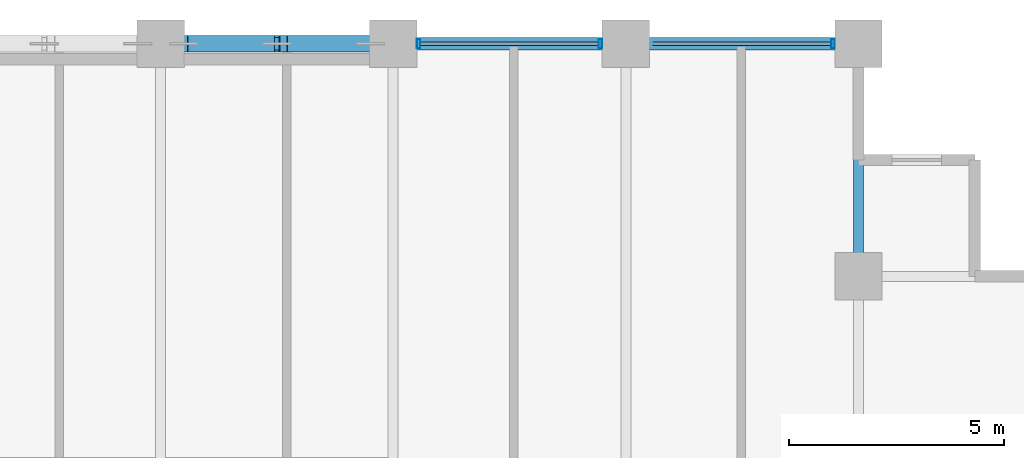
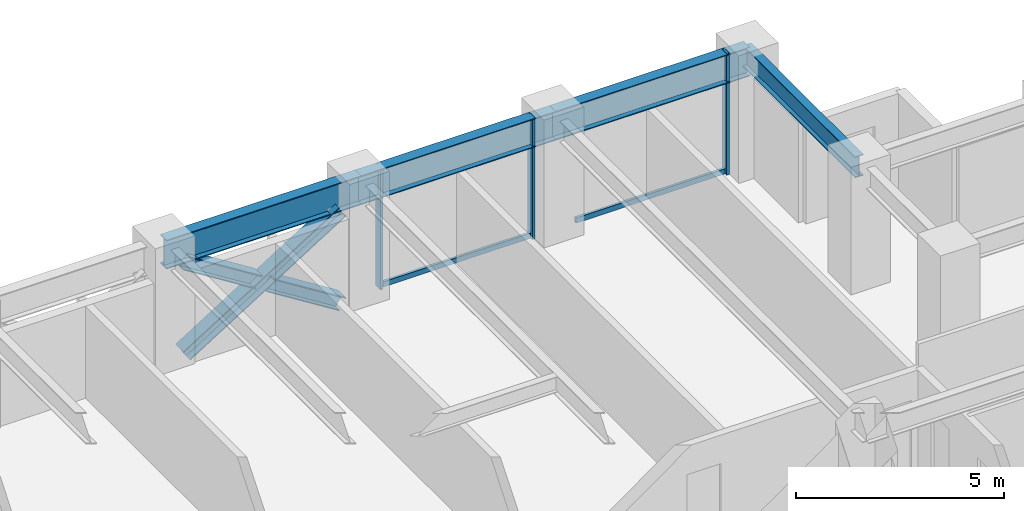
# One storey, part 16 of 25: 8 members, 4 beams, 1 element without a shape of its own.
"""IFC4 building model written with IfcOpenShell, lengths in metres."""

import ifcopenshell
import ifcopenshell.guid

model = None  # the IFC model being written
_history = None  # IfcOwnerHistory: only IFC2X3 demands one
_inside = {}  # id of a spatial element -> (the spatial element, [elements in it])
_under = {}  # id of a project, library or spatial element -> (it, [spatial elements below it])
_declared = {}  # id of a project -> (the project, [libraries it declares])
_typed = {}  # id of a type object -> (the type object, [elements of that type])
_made_of = {}  # id of a material, layer set ... -> (it, [elements and type objects made of it])


def new_model(schema):
    """Start an empty IFC model of exactly this schema.

    Asked for "IFC4X3", IfcOpenShell would pick the latest addendum, in which some entities
    have other attributes; the version numbers below select the first issue.
    IFC2X3 requires an IfcOwnerHistory on every rooted entity: one is made here for all.
    """
    global model, _history
    if schema == "IFC4X3":
        model = ifcopenshell.file(schema_version=(4, 3, 0, 0))
    else:
        model = ifcopenshell.file(schema=schema)
    _inside.clear()
    _under.clear()
    _declared.clear()
    _typed.clear()
    _made_of.clear()
    _history = None
    if model.schema == "IFC2X3":
        org = make("IfcOrganization", Name="unknown")
        user = make(
            "IfcPersonAndOrganization",
            ThePerson=make("IfcPerson", FamilyName="unknown"),
            TheOrganization=org,
        )
        app = make(
            "IfcApplication",
            ApplicationDeveloper=org,
            Version="unknown",
            ApplicationFullName="unknown",
            ApplicationIdentifier="unknown",
        )
        _history = make(
            "IfcOwnerHistory",
            OwningUser=user,
            OwningApplication=app,
            ChangeAction="ADDED",
            CreationDate=0,
        )
    return model


def make(cls, **values):
    """One entity of the class cls with the attributes given. An attribute that is None is left unset."""
    return model.create_entity(
        cls, **{name: value for name, value in values.items() if value is not None}
    )


def rooted(cls, **values):
    """An entity with a GlobalId (a new one), such as an element, a storey or a relation."""
    return make(cls, GlobalId=ifcopenshell.guid.new(), OwnerHistory=_history, **values)


def si_unit(unit_type, name, prefix=None):
    """IfcSIUnit, for example si_unit("LENGTHUNIT", "METRE", prefix="MILLI")."""
    return make("IfcSIUnit", UnitType=unit_type, Prefix=prefix, Name=name)


def assignment(units):
    """IfcUnitAssignment: the units of a project."""
    return None if units is None else make("IfcUnitAssignment", Units=units)


def point(xyz):
    """IfcCartesianPoint."""
    return None if xyz is None else make("IfcCartesianPoint", Coordinates=xyz)


def direction(xyz):
    """IfcDirection."""
    return None if xyz is None else make("IfcDirection", DirectionRatios=xyz)


def frame(location, z_axis=None, x_axis=None):
    """IfcAxis2Placement3D, a coordinate frame: its origin and axes. An axis left out is left unset."""
    return make(
        "IfcAxis2Placement3D",
        Location=point(location),
        Axis=direction(z_axis),
        RefDirection=direction(x_axis),
    )


def frame_2d(location, x_axis=None):
    """IfcAxis2Placement2D, a coordinate frame in the plane: its origin and x axis."""
    return make(
        "IfcAxis2Placement2D", Location=point(location), RefDirection=direction(x_axis)
    )


def origin():
    """The frame at (0, 0, 0) with its axes left unset."""
    return frame((0.0, 0.0, 0.0))


def origin_2d():
    """The frame at (0, 0) in the plane with its x axis left unset."""
    return frame_2d((0.0, 0.0))


def place(relative_to, where):
    """IfcLocalPlacement: puts the frame where relative to a parent placement (None: the world)."""
    return make(
        "IfcLocalPlacement", PlacementRelTo=relative_to, RelativePlacement=where
    )


def context(
    kind, dimensions, precision=None, world=None, true_north=None, identifier=None
):
    """IfcGeometricRepresentationContext, for example the 3D "Model" context."""
    return make(
        "IfcGeometricRepresentationContext",
        ContextIdentifier=identifier,
        ContextType=kind,
        CoordinateSpaceDimension=dimensions,
        Precision=precision,
        WorldCoordinateSystem=world,
        TrueNorth=true_north,
    )


def subcontext(parent, identifier, kind, view, scale=None):
    """IfcGeometricRepresentationSubContext, for example "Body" below "Model"."""
    return make(
        "IfcGeometricRepresentationSubContext",
        ContextIdentifier=identifier,
        ContextType=kind,
        ParentContext=parent,
        TargetScale=scale,
        TargetView=view,
    )


def project(units=None, contexts=None):
    """IfcProject with its units and contexts."""
    return rooted(
        "IfcProject",
        Name="project",
        RepresentationContexts=contexts,
        UnitsInContext=assignment(units),
    )


def spatial(cls, under=None, at=None, **own):
    """A site, building, storey or space (cls), placed at a placement, below another one or the project."""
    s = rooted(cls, ObjectPlacement=at, **own)
    if under is not None:
        _under.setdefault(under.id(), (under, []))[1].append(s)
    return s


def profile(cls, at=None, kind="AREA", **sizes):
    """A parametric profile (cls). Its sizes go by their IFC names, for example OverallWidth=200.0."""
    return make(cls, ProfileType=kind, Position=at, **sizes)


def hollow_rectangle(**sizes):
    """IfcRectangleHollowProfileDef."""
    return profile("IfcRectangleHollowProfileDef", **sizes)


def i_section(**sizes):
    """IfcIShapeProfileDef."""
    return profile("IfcIShapeProfileDef", **sizes)


def extrude(swept, where, along, depth):
    """IfcExtrudedAreaSolid: the profile swept, set in the frame where, extruded along a direction by depth."""
    return make(
        "IfcExtrudedAreaSolid",
        SweptArea=swept,
        Position=where,
        ExtrudedDirection=direction(along),
        Depth=depth,
    )


def shape(context_of_items, identifier, shape_type, items):
    """IfcShapeRepresentation: the items that make up one representation, for example the "Body"."""
    return make(
        "IfcShapeRepresentation",
        ContextOfItems=context_of_items,
        RepresentationIdentifier=identifier,
        RepresentationType=shape_type,
        Items=items,
    )


def material(Name=None, Category=None):
    """IfcMaterial."""
    return make("IfcMaterial", Name=Name, Category=Category)


def layer(
    of_material, thickness, ventilated=None, Name=None, Category=None, Priority=None
):
    """IfcMaterialLayer: one layer of a wall or slab, of a material (None: an air gap)."""
    return make(
        "IfcMaterialLayer",
        Material=of_material,
        LayerThickness=thickness,
        IsVentilated=ventilated,
        Name=Name,
        Category=Category,
        Priority=Priority,
    )


def layer_set(layers, Name=None):
    """IfcMaterialLayerSet."""
    return make("IfcMaterialLayerSet", MaterialLayers=layers, LayerSetName=Name)


def material_profile(
    of_material, cross_section, Name=None, Category=None, Priority=None
):
    """IfcMaterialProfile: a cross section and its material."""
    return make(
        "IfcMaterialProfile",
        Name=Name,
        Material=of_material,
        Profile=cross_section,
        Priority=Priority,
        Category=Category,
    )


def profile_set(profiles, Name=None, composite=None):
    """IfcMaterialProfileSet."""
    return make(
        "IfcMaterialProfileSet",
        Name=Name,
        MaterialProfiles=profiles,
        CompositeProfile=composite,
    )


def made_of(thing, what):
    """Note that an element or type object is made of a material, layer set ...; save() writes the relation."""
    if what is not None:
        _made_of.setdefault(what.id(), (what, []))[1].append(thing)
    return thing


def type_object(cls, material=None, **own):
    """A type object (cls), such as IfcWallType, which elements share."""
    return made_of(rooted(cls, **own), material)


def element(
    cls,
    number,
    at=None,
    inside=None,
    cuts=None,
    type_object=None,
    material=None,
    context=None,
    identifier="Body",
    shape_type=None,
    held_by="IfcProductDefinitionShape",
    body=None,
    shapes=None,
    **own,
):
    """One element of the class cls, such as IfcWall. Its Tag is "e" and its number.

    at: its placement. inside: the storey or other place that contains it. cuts: it is an
    opening in that element (IfcRelVoidsElement). A single representation is given by context,
    identifier, shape_type and body (its items); several are given by shapes. held_by: the class
    of the entity that holds the representations. save() writes the other relations.
    """
    e = rooted(cls, Tag="e%d" % number, ObjectPlacement=at, **own)
    if body is not None:
        shapes = [shape(context, identifier, shape_type, body)]
    if shapes is not None:
        e.Representation = make(held_by, Representations=shapes)
    if inside is not None:
        _inside.setdefault(inside.id(), (inside, []))[1].append(e)
    if cuts is not None:
        rooted(
            "IfcRelVoidsElement", RelatingBuildingElement=cuts, RelatedOpeningElement=e
        )
    if type_object is not None:
        _typed.setdefault(type_object.id(), (type_object, []))[1].append(e)
    return made_of(e, material)


def aggregate(whole, parts):
    """IfcRelAggregates: a whole, such as a stair, and the parts it consists of."""
    return rooted("IfcRelAggregates", RelatingObject=whole, RelatedObjects=parts)


def save(model, path):
    """Write the relations noted so far, then the file.

    IfcRelAggregates (storeys below a building ...), IfcRelContainedInSpatialStructure (elements
    in a storey), IfcRelDefinesByType, IfcRelAssociatesMaterial and IfcRelDeclares: one each for
    every whole, place, type object, material and project.
    """
    for whole, parts in _under.values():
        aggregate(whole, parts)
    for where, things in _inside.values():
        rooted(
            "IfcRelContainedInSpatialStructure",
            RelatedElements=things,
            RelatingStructure=where,
        )
    for kind, things in _typed.values():
        rooted("IfcRelDefinesByType", RelatedObjects=things, RelatingType=kind)
    for what, things in _made_of.values():
        rooted("IfcRelAssociatesMaterial", RelatedObjects=things, RelatingMaterial=what)
    for by, libraries in _declared.values():
        rooted("IfcRelDeclares", RelatingContext=by, RelatedDefinitions=libraries)
    model.write(path)


model = new_model("IFC4")

# Units and contexts
model_context = context("Model", 3, precision=1e-05, world=origin(), true_north=direction((0.0, 1.0)))
body_context = subcontext(model_context, "Body", "Model", "MODEL_VIEW")
ifc_project = project(units=[si_unit("LENGTHUNIT", "METRE"), si_unit("AREAUNIT", "SQUARE_METRE"), si_unit("VOLUMEUNIT", "CUBIC_METRE"), si_unit("PLANEANGLEUNIT", "RADIAN"), si_unit("MASSUNIT", "GRAM", prefix="KILO")], contexts=[model_context])

# Site, building, storey
site_placement = place(None, origin())
site = spatial("IfcSite", under=ifc_project, at=site_placement, CompositionType="ELEMENT")
building_placement = place(site_placement, origin())
building = spatial("IfcBuilding", under=site, at=building_placement, Name="Surkhivell Harbour Commons", CompositionType="ELEMENT")
storey_placement = place(building_placement, frame((0.0, 0.0, 120.75)))
storey = spatial("IfcBuildingStorey", under=building, at=storey_placement, Name="L31", CompositionType="ELEMENT", Elevation=120.75)

# Beams
ifc_material_1 = material(Name="Steel S355", Category="steel")
ifc_material_profile_1 = material_profile(ifc_material_1, i_section(OverallWidth=0.22998046875, OverallDepth=0.616943359375, WebThickness=0.01318359375, FlangeThickness=0.022216796875, at=origin_2d()), Name="UB610x229x140")
ifc_profile_set_1 = profile_set([ifc_material_profile_1], Name="Steel S355")
beam_type_1 = type_object("IfcBeamType", Name="BM-GRD-610B", PredefinedType="BEAM", material=ifc_profile_set_1)
beam_1_placement = place(storey_placement, frame((16.199951171875, 20.5, 3.261474609375), z_axis=(0.0, 1.0, 0.0), x_axis=(-1.0, 0.0, 0.0)))
element("IfcBeam", 1, at=beam_1_placement, inside=storey, type_object=beam_type_1, Name="L31 Floor Girder (16.2,20.5)", PredefinedType="BEAM", context=body_context, shape_type="SweptSolid", body=[
    extrude(i_section(OverallWidth=0.22998046875, OverallDepth=0.616943359375, WebThickness=0.01318359375, FlangeThickness=0.022216796875, at=origin_2d()), origin(), (0.0, 0.0, 1.0), 5.39990234375),
])
ifc_material_2 = material(Name="Steel S460", Category="steel")
ifc_material_profile_2 = material_profile(ifc_material_2, i_section(OverallWidth=0.2939453125, OverallDepth=0.85107421875, WebThickness=0.01611328125, FlangeThickness=0.02685546875, at=origin_2d()), Name="UB838x292x226")
ifc_profile_set_2 = profile_set([ifc_material_profile_2], Name="Steel S460")
beam_type_2 = type_object("IfcBeamType", Name="BM-SPN-838", PredefinedType="SPANDREL", material=ifc_profile_set_2)
beam_2_placement = place(storey_placement, frame((0.0, 25.89990234375, 3.14453125), z_axis=(1.0, 0.0, 0.0), x_axis=(0.0, 1.0, 0.0)))
element("IfcBeam", 2, at=beam_2_placement, inside=storey, type_object=beam_type_2, Name="L31 Tube Spandrel (-0.0,25.9)", PredefinedType="SPANDREL", context=body_context, shape_type="SweptSolid", body=[
    extrude(i_section(OverallWidth=0.2939453125, OverallDepth=0.85107421875, WebThickness=0.01611328125, FlangeThickness=0.02685546875, at=origin_2d()), origin(), (0.0, 0.0, 1.0), 5.39990234375),
])
beam_3_placement = place(storey_placement, frame((5.39990234375, 25.89990234375, 3.14453125), z_axis=(1.0, 0.0, 0.0), x_axis=(0.0, 1.0, 0.0)))
element("IfcBeam", 3, at=beam_3_placement, inside=storey, type_object=beam_type_2, Name="L31 Tube Spandrel (5.4,25.9)", PredefinedType="SPANDREL", context=body_context, shape_type="SweptSolid", body=[
    extrude(i_section(OverallWidth=0.2939453125, OverallDepth=0.85107421875, WebThickness=0.01611328125, FlangeThickness=0.02685546875, at=origin_2d()), origin(), (0.0, 0.0, 1.0), 5.400146484375),
])
beam_4_placement = place(storey_placement, frame((10.800048828125, 25.89990234375, 3.14453125), z_axis=(1.0, 0.0, 0.0), x_axis=(0.0, 1.0, 0.0)))
element("IfcBeam", 4, at=beam_4_placement, inside=storey, type_object=beam_type_2, Name="L31 Tube Spandrel (10.8,25.9)", PredefinedType="SPANDREL", context=body_context, shape_type="SweptSolid", body=[
    extrude(i_section(OverallWidth=0.2939453125, OverallDepth=0.85107421875, WebThickness=0.01611328125, FlangeThickness=0.02685546875, at=origin_2d()), origin(), (0.0, 0.0, 1.0), 5.39990234375),
])

# Curtain wall, members
ifc_material_3 = material(Name="Anodised pale-metal aluminium and insulated glazing", Category="aluminium")
ifc_layer = layer(ifc_material_3, 0.205078125)
ifc_layer_set = layer_set([ifc_layer], Name="Anodised pale-metal aluminium and insulated glazing")
curtain_wall_type = type_object("IfcCurtainWallType", Name="CW-SYS-Z2", PredefinedType="NOTDEFINED", material=ifc_layer_set)
curtain_wall_placement = place(storey_placement, origin())
curtain_wall = element("IfcCurtainWall", 5, at=curtain_wall_placement, inside=storey, type_object=curtain_wall_type, Name="L31 Curtain Wall CW-L31-E07S1", PredefinedType="NOTDEFINED")
ifc_material_4 = material(Name="Anodised pale-metal aluminium alloy 6063-T6", Category="aluminium")
ifc_material_profile_3 = material_profile(ifc_material_4, hollow_rectangle(XDim=0.074951171875, YDim=0.219970703125, WallThickness=0.00390625, at=origin_2d()), Name="ALU-MULL-75x220")
ifc_profile_set_3 = profile_set([ifc_material_profile_3], Name="Anodised pale-metal aluminium alloy 6063-T6")
member_type_1 = type_object("IfcMemberType", Name="CWM-220", PredefinedType="MULLION", material=ifc_profile_set_3)
member_1_placement = place(storey_placement, frame((15.610595703125, 25.89990234375, 0.0), z_axis=(0.0, 0.0, 1.0), x_axis=(-1.0, 0.0, 0.0)))
member_1 = element("IfcMember", 6, at=member_1_placement, type_object=member_type_1, Name="CW-Z2 mullion 1", PredefinedType="MULLION", context=body_context, shape_type="SweptSolid", body=[
    extrude(hollow_rectangle(XDim=0.074951171875, YDim=0.219970703125, WallThickness=0.00390625, at=origin_2d()), origin(), (0.0, 0.0, 1.0), 3.570068359375),
])
member_2_placement = place(storey_placement, frame((10.21044921875, 25.89990234375, 0.0), z_axis=(0.0, 0.0, 1.0), x_axis=(-1.0, 0.0, 0.0)))
member_2 = element("IfcMember", 7, at=member_2_placement, type_object=member_type_1, Name="CW-Z2 mullion 2", PredefinedType="MULLION", context=body_context, shape_type="SweptSolid", body=[
    extrude(hollow_rectangle(XDim=0.074951171875, YDim=0.219970703125, WallThickness=0.00390625, at=origin_2d()), origin(), (0.0, 0.0, 1.0), 3.570068359375),
])
member_3_placement = place(storey_placement, frame((5.989501953125, 25.89990234375, 0.0), z_axis=(0.0, 0.0, 1.0), x_axis=(-1.0, 0.0, 0.0)))
member_3 = element("IfcMember", 8, at=member_3_placement, type_object=member_type_1, Name="CW-Z2 mullion 3", PredefinedType="MULLION", context=body_context, shape_type="SweptSolid", body=[
    extrude(hollow_rectangle(XDim=0.074951171875, YDim=0.219970703125, WallThickness=0.00390625, at=origin_2d()), origin(), (0.0, 0.0, 1.0), 3.570068359375),
])
ifc_material_profile_4 = material_profile(ifc_material_4, hollow_rectangle(XDim=0.074951171875, YDim=0.14990234375, WallThickness=0.00341796875, at=origin_2d()), Name="ALU-TRAN-75x150")
ifc_profile_set_4 = profile_set([ifc_material_profile_4], Name="Anodised pale-metal aluminium alloy 6063-T6")
member_type_2 = type_object("IfcMemberType", Name="CWT-150", PredefinedType="USERDEFINED", material=ifc_profile_set_4)
member_4_placement = place(storey_placement, frame((15.572998046875, 25.89990234375, 0.074951171875), z_axis=(-1.0, 0.0, 0.0), x_axis=(0.0, -1.0, 0.0)))
member_4 = element("IfcMember", 9, at=member_4_placement, type_object=member_type_2, Name="CW-Z2 transom 1.1", ObjectType="TRANSOM", PredefinedType="USERDEFINED", context=body_context, shape_type="SweptSolid", body=[
    extrude(hollow_rectangle(XDim=0.074951171875, YDim=0.14990234375, WallThickness=0.00341796875, at=origin_2d()), origin(), (0.0, 0.0, 1.0), 4.14599609375),
])
member_5_placement = place(storey_placement, frame((10.173095703125, 25.89990234375, 0.074951171875), z_axis=(-1.0, 0.0, 0.0), x_axis=(0.0, -1.0, 0.0)))
member_5 = element("IfcMember", 10, at=member_5_placement, type_object=member_type_2, Name="CW-Z2 transom 2.1", ObjectType="TRANSOM", PredefinedType="USERDEFINED", context=body_context, shape_type="SweptSolid", body=[
    extrude(hollow_rectangle(XDim=0.074951171875, YDim=0.14990234375, WallThickness=0.00341796875, at=origin_2d()), origin(), (0.0, 0.0, 1.0), 4.14599609375),
])
aggregate(curtain_wall, [member_1, member_4, member_2, member_3, member_5])

# Members
ifc_material_profile_5 = material_profile(ifc_material_2, i_section(OverallWidth=0.375, OverallDepth=0.375, WebThickness=0.0166015625, FlangeThickness=0.027099609375, at=origin_2d()), Name="UC356x368x202")
ifc_profile_set_5 = profile_set([ifc_material_profile_5], Name="Steel S460")
member_type_3 = type_object("IfcMemberType", Name="MEM-BRC-UC356", PredefinedType="BRACE", material=ifc_profile_set_5)
member_6_placement = place(storey_placement, frame((0.534912109375, 25.89990234375, 0.008056640625), z_axis=(0.847246015888, 0.0, 0.531200704594), x_axis=(0.0, 1.0, 0.0)))
element("IfcMember", 11, at=member_6_placement, inside=storey, type_object=member_type_3, Name="L31 Perimeter Mega-Brace MB- 04", PredefinedType="BRACE", context=body_context, shape_type="SweptSolid", body=[
    extrude(i_section(OverallWidth=0.375, OverallDepth=0.375, WebThickness=0.0166015625, FlangeThickness=0.027099609375, at=origin_2d()), origin(), (0.0, 0.0, 1.0), 5.11083984375),
])
for number, where, z_axis, x_axis, name in (
    (12, (4.864990234375, 25.89990234375, 0.008056640625), (-0.847206308526, 0.0, 0.53126403115), (0.0, -1.0, 0.0), "L31 Perimeter Mega-Brace MB- 05"),
    (13, (2.547607421875, 25.89990234375, 1.461181640625), (-0.847281565812, 0.0, 0.531143999529), (0.0, -1.0, 0.0), "L31 Perimeter Mega-Brace MB- 06"),
):
    element("IfcMember", number, at=place(storey_placement, frame(where, z_axis=z_axis, x_axis=x_axis)), inside=storey, type_object=member_type_3, Name=name, PredefinedType="BRACE", context=body_context, shape_type="SweptSolid", body=[
        extrude(i_section(OverallWidth=0.375, OverallDepth=0.375, WebThickness=0.0166015625, FlangeThickness=0.027099609375, at=origin_2d()), origin(), (0.0, 0.0, 1.0), 2.37548828125),
    ])

save(model, "model.ifc")
